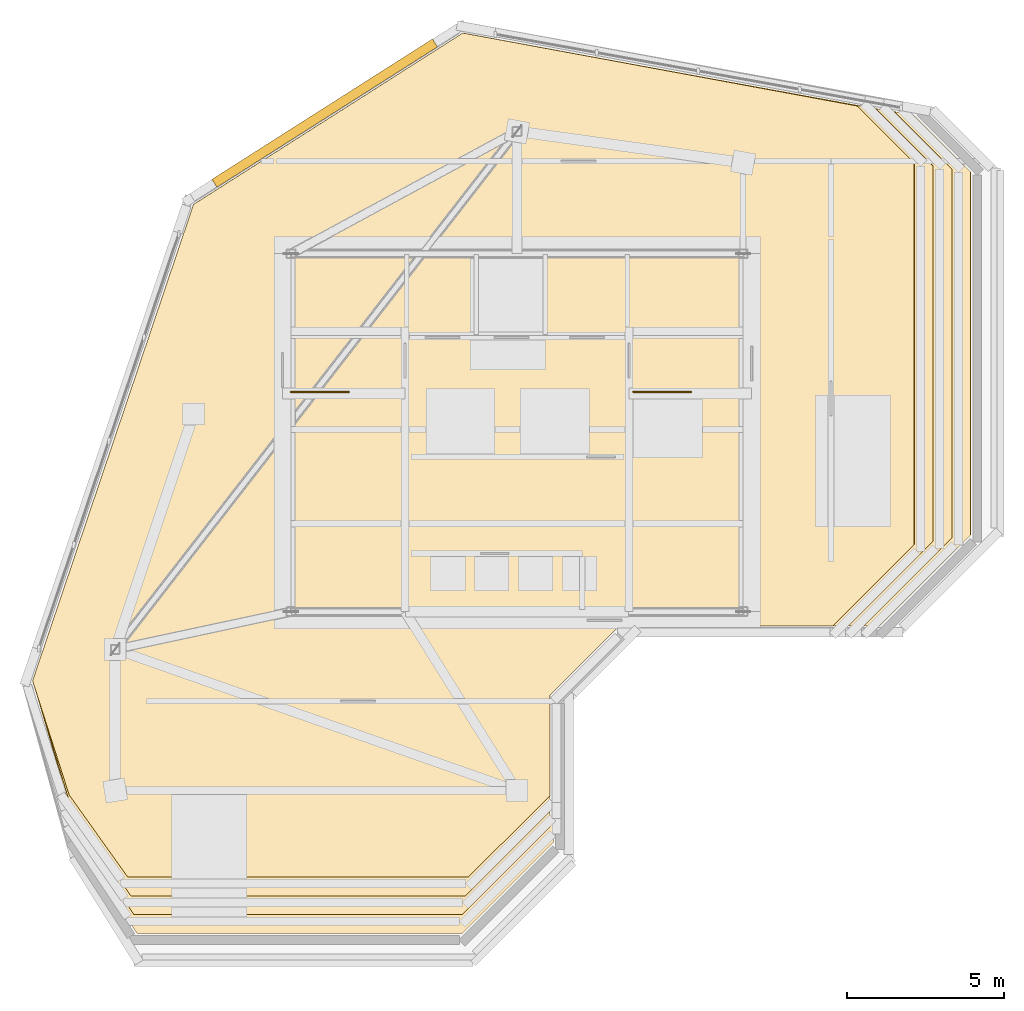
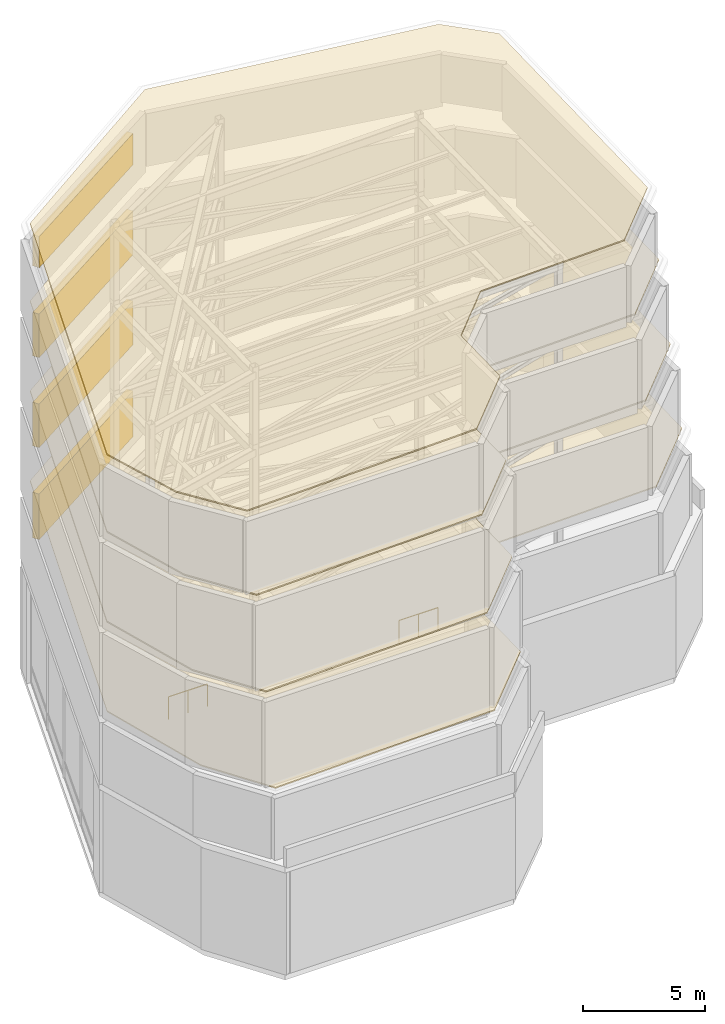
# One storey, part 9 of 9: 4 coverings, 4 shading devices, 2 railings.
"""IFC4 building model written with IfcOpenShell, lengths in metres."""

from ifc_helpers import new_model, si_unit, direction, frame, frame_2d, origin, origin_2d, place, context, subcontext, project, spatial, polyline, rectangle, circle, outline, extrude, material, layer, layer_set, type_object, element, save


model = new_model("IFC4")

# Units and contexts
model_context = context("Model", 3, precision=1e-05, world=origin(), true_north=direction((0.0, 1.0)))
body_context = subcontext(model_context, "Body", "Model", "MODEL_VIEW")
ifc_project = project(units=[si_unit("LENGTHUNIT", "METRE"), si_unit("AREAUNIT", "SQUARE_METRE"), si_unit("VOLUMEUNIT", "CUBIC_METRE"), si_unit("PLANEANGLEUNIT", "RADIAN"), si_unit("MASSUNIT", "GRAM", prefix="KILO")], contexts=[model_context])

# Site, building, storey
site_placement = place(None, origin())
site = spatial("IfcSite", under=ifc_project, at=site_placement, CompositionType="ELEMENT")
building_placement = place(site_placement, origin())
building = spatial("IfcBuilding", under=site, at=building_placement, Name="Calvemar Wedge Station Tower", CompositionType="ELEMENT")
storey_placement = place(building_placement, frame((0.0, 0.0, 309.5)))
storey = spatial("IfcBuildingStorey", under=building, at=storey_placement, Name="L79", CompositionType="ELEMENT", Elevation=309.5)

# Coverings
ifc_material_1 = material(Name="Elastomeric waterproofing membrane", Category="bitumen")
ifc_layer = layer(ifc_material_1, 0.06005859375)
ifc_layer_set = layer_set([ifc_layer], Name="Elastomeric waterproofing membrane")
covering_type = type_object("IfcCoveringType", Name="COV-ROOF-MEMB", PredefinedType="MEMBRANE", material=ifc_layer_set)
covering_1_placement = place(storey_placement, frame((9.826416015625, 26.845703125, 8.79931640625), z_axis=(-0.025061575289, -0.025057783265, 0.999371815163), x_axis=(0.542099858834, -0.840280831918, -0.007474393842)))
element("IfcCovering", 1, at=covering_1_placement, inside=storey, type_object=covering_type, Name="Crown Tier 1 Waterproofing Membrane", PredefinedType="MEMBRANE", context=body_context, shape_type="SweptSolid", body=[
    extrude(outline(polyline([(0.0, 0.0), (3.4461679390944577, -4.414871246360974e-16), (9.062821394178485, 8.71456154145249), (8.1984958953577, 12.719098859711904), (4.248335634742005, 15.268545865581652), (3.5898643092618046, 18.318514612773345), (8.031404444928057, 25.20981570707034), (7.167078946107272, 29.214353025329757), (-2.5436540802639835, 35.48169082740565), (-5.060018931398415, 34.93856733201989), (-15.035632028271504, 24.283468734115083), (-15.09615413693513, 14.107425448398661), (-5.115602657169739, 1.5634562033103638), (0.0, 0.0)])), origin(), (0.0, 0.0, -1.0), 0.06005859375),
])
covering_2_placement = place(storey_placement, frame((9.728759765625, 27.349609375, 13.297607421875), z_axis=(-0.025553322532, -0.025561228447, 0.999346612196), x_axis=(0.554702582185, -0.83201843129, -0.007097556659)))
element("IfcCovering", 2, at=covering_2_placement, inside=storey, type_object=covering_type, Name="Crown Tier 2 Waterproofing Membrane", PredefinedType="MEMBRANE", context=body_context, shape_type="SweptSolid", body=[
    extrude(outline(polyline([(0.0, 0.0), (3.364783240469418, -1.089623183347932e-16), (9.164916005716654, 8.708371455917524), (8.388961609080617, 12.586880743902347), (4.893762390717042, 14.918127562515835), (4.281323298217522, 17.97775222047507), (8.606614825179781, 24.471780274958817), (7.83052327030672, 28.350095174147718), (-1.9478263765163677, 34.87211179008582), (-4.472091971358104, 34.366979726360206), (-14.194658919944034, 24.30941098386954), (-14.408376503349814, 14.135399231356761), (-4.619115988573645, 1.4434093093834128), (0.0, 0.0)])), origin(), (0.0, 0.0, -1.0), 0.06005859375),
])
covering_3_placement = place(storey_placement, frame((9.630859375, 27.85400390625, 17.7958984375), z_axis=(-0.02607361257, -0.026074428944, 0.999319914183), x_axis=(0.567738749462, -0.823181804397, -0.006665528404)))
element("IfcCovering", 3, at=covering_3_placement, inside=storey, type_object=covering_type, Name="Crown Tier 3 Waterproofing Membrane", PredefinedType="MEMBRANE", context=body_context, shape_type="SweptSolid", body=[
    extrude(outline(polyline([(0.0, 0.0), (3.2849408862789433, 1.3422422895370545e-16), (9.3347167077321, 8.780412887593778), (8.645342872824077, 12.531589506949919), (5.598965969776614, 14.633629797063962), (5.034788998390713, 17.702601861089345), (9.178040276593178, 23.7159574304104), (8.488666441685154, 27.467134049766543), (-1.3471784681573085, 34.25398480714702), (-3.8792271469472035, 33.78848124368636), (-13.338998650789287, 24.3246569373122), (-13.713121381799155, 14.155150201040115), (-4.126145021852726, 1.3118510214364965), (0.0, 0.0)])), origin(), (0.0, 0.0, -1.0), 0.06005859375),
])
covering_4_placement = place(storey_placement, frame((9.53271484375, 28.35888671875, 21.674072265625), z_axis=(-0.026615556169, -0.026608104165, 0.999291559537), x_axis=(0.581182146018, -0.813749973155, -0.006188241999)))
element("IfcCovering", 4, at=covering_4_placement, inside=storey, type_object=covering_type, Name="Crown Tier 4 Waterproofing Membrane", PredefinedType="MEMBRANE", context=body_context, shape_type="SweptSolid", body=[
    extrude(outline(polyline([(0.0, 0.0), (3.206011178563212, 1.6371452804531117e-16), (9.51521196563218, 8.842686499245723), (8.910992044375876, 12.465258241314643), (6.306504594520875, 14.326331192939662), (5.792805780739146, 17.404247071402402), (9.743751737156456, 22.941710957030587), (9.139389925727784, 26.564084130218376), (-0.7432356595553317, 33.62585039811375), (-3.282788592338255, 33.20214783161555), (-12.469903711741377, 24.327332091870314), (-13.010850535224119, 14.165255267942849), (-3.6376524393119167, 1.1678131536800924), (0.0, 0.0)])), origin(), (0.0, 0.0, -1.0), 0.06005859375),
])

# Railings
ifc_material_2 = material(Name="Painted steel guardrail ASTM A500 Grade C", Category="steel")
railing_type = type_object("IfcRailingType", Name="RL-STAIR-GUARD-1150", PredefinedType="GUARDRAIL", material=ifc_material_2)
railing_1_placement = place(storey_placement, frame((16.60009765625, 41.199951171875, 0.0)))
element("IfcRailing", 5, at=railing_1_placement, inside=storey, type_object=railing_type, Name="L79 ST-C1 top well guard 1", PredefinedType="GUARDRAIL", context=body_context, shape_type="SweptSolid", body=[
    extrude(circle(Radius=0.02392578125, at=origin_2d()), frame((0.0, 0.0, 1.1259765625), z_axis=(1.0, 0.0, 0.0), x_axis=(0.0, 1.0, 0.0)), (0.0, 0.0, 1.0), 1.83984375),
    extrude(circle(Radius=0.02099609375, at=origin_2d()), origin(), (0.0, 0.0, 1.0), 1.101806640625),
    extrude(circle(Radius=0.02099609375, at=origin_2d()), frame((0.919921875, 0.0, 0.0)), (0.0, 0.0, 1.0), 1.101806640625),
    extrude(circle(Radius=0.02099609375, at=origin_2d()), frame((1.83984375, 0.0, 0.0)), (0.0, 0.0, 1.0), 1.101806640625),
])
railing_2_placement = place(storey_placement, frame((27.5, 41.199951171875, 0.0)))
element("IfcRailing", 6, at=railing_2_placement, inside=storey, type_object=railing_type, Name="L79 ST-C2 top well guard 1", PredefinedType="GUARDRAIL", context=body_context, shape_type="SweptSolid", body=[
    extrude(circle(Radius=0.02392578125, at=origin_2d()), frame((0.0, 0.0, 1.1259765625), z_axis=(1.0, 0.0, 0.0), x_axis=(0.0, 1.0, 0.0)), (0.0, 0.0, 1.0), 1.840087890625),
    extrude(circle(Radius=0.02099609375, at=origin_2d()), origin(), (0.0, 0.0, 1.0), 1.101806640625),
    extrude(circle(Radius=0.02099609375, at=origin_2d()), frame((0.919921875, 0.0, 0.0)), (0.0, 0.0, 1.0), 1.101806640625),
    extrude(circle(Radius=0.02099609375, at=origin_2d()), frame((1.840087890625, 0.0, 0.0)), (0.0, 0.0, 1.0), 1.101806640625),
])

# Shading devices
ifc_material_3 = material(Name="Anodised aluminium 6063-T6", Category="aluminium")
shading_device_type = type_object("IfcShadingDeviceType", Name="SHD-LOUVRE-1", PredefinedType="JALOUSIE", material=ifc_material_3)
shading_device_1_placement = place(storey_placement, frame((14.160400390625, 47.84521484375, 5.85009765625), z_axis=(0.0, 0.0, 1.0), x_axis=(0.843657865813, 0.536881183739, 0.0)))
element("IfcShadingDevice", 7, at=shading_device_1_placement, inside=storey, type_object=shading_device_type, Name="Crown Tier 1 Acoustic Intake Louvre 2", PredefinedType="JALOUSIE", context=body_context, shape_type="SweptSolid", body=[
    extrude(rectangle(XDim=8.32666015625, YDim=0.300048828125, at=frame_2d((4.163330078125, 0.0))), origin(), (0.0, 0.0, 1.0), 2.27978515625),
])
shading_device_2_placement = place(storey_placement, frame((14.160400390625, 47.84521484375, 10.449951171875), z_axis=(0.0, 0.0, 1.0), x_axis=(0.843671146148, 0.53686031438, 0.0)))
element("IfcShadingDevice", 8, at=shading_device_2_placement, inside=storey, type_object=shading_device_type, Name="Crown Tier 2 Acoustic Intake Louvre 2", PredefinedType="JALOUSIE", context=body_context, shape_type="SweptSolid", body=[
    extrude(rectangle(XDim=8.32666015625, YDim=0.300048828125, at=frame_2d((4.163330078125, 0.0))), origin(), (0.0, 0.0, 1.0), 2.179931640625),
])
shading_device_3_placement = place(storey_placement, frame((14.160400390625, 47.84521484375, 14.949951171875), z_axis=(0.0, 0.0, 1.0), x_axis=(0.843662695079, 0.536873594929, 0.0)))
element("IfcShadingDevice", 9, at=shading_device_3_placement, inside=storey, type_object=shading_device_type, Name="Crown Tier 3 Acoustic Intake Louvre 2", PredefinedType="JALOUSIE", context=body_context, shape_type="SweptSolid", body=[
    extrude(rectangle(XDim=8.326416015625, YDim=0.300048828125, at=frame_2d((4.1630859375, 0.0))), origin(), (0.0, 0.0, 1.0), 2.179931640625),
])
shading_device_4_placement = place(storey_placement, frame((14.160400390625, 47.84521484375, 19.449951171875), z_axis=(0.0, 0.0, 1.0), x_axis=(0.843662695079, 0.536873594929, 0.0)))
element("IfcShadingDevice", 10, at=shading_device_4_placement, inside=storey, type_object=shading_device_type, Name="Crown Tier 4 Acoustic Intake Louvre 2", PredefinedType="JALOUSIE", context=body_context, shape_type="SweptSolid", body=[
    extrude(rectangle(XDim=8.326416015625, YDim=0.300048828125, at=frame_2d((4.1630859375, 0.0))), origin(), (0.0, 0.0, 1.0), 1.56005859375),
])

save(model, "model.ifc")
